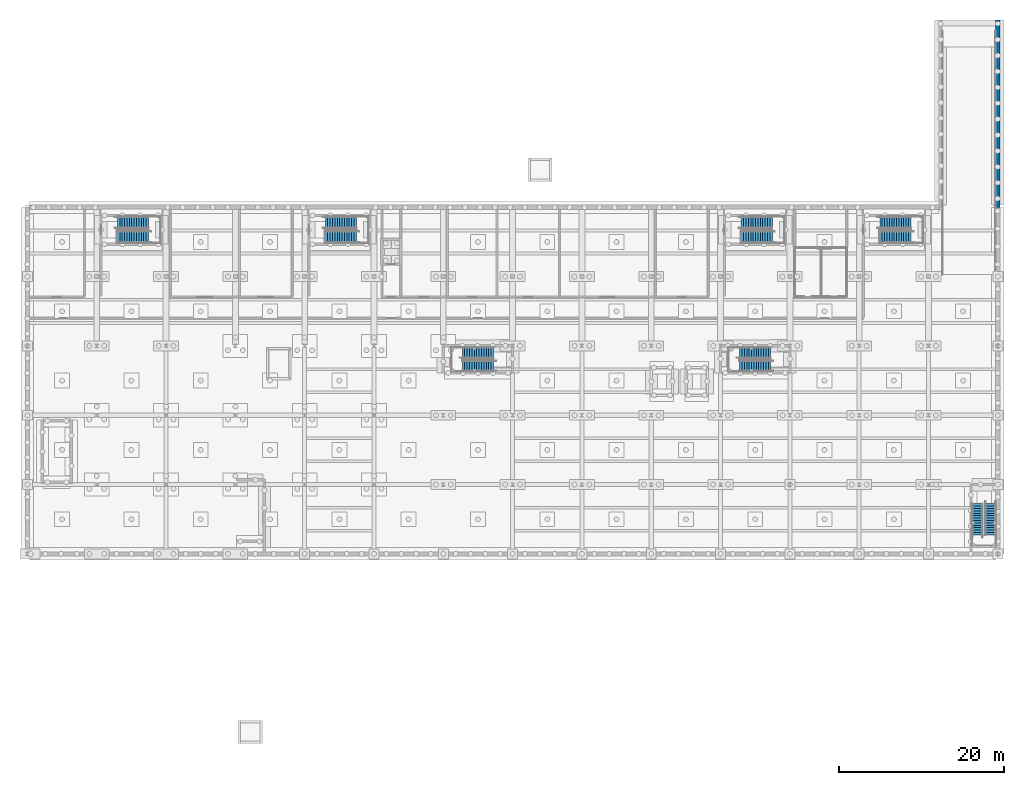
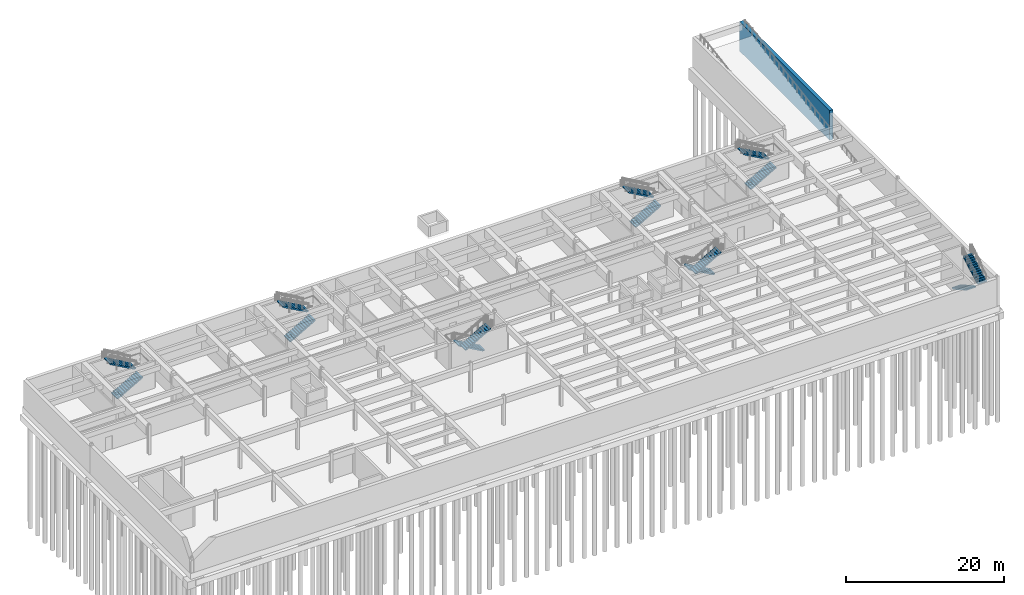
# One storey, part 27 of 33: 14 stair flights, 1 wall, 7 elements without a shape of their own.
"""IFC4 building model written with IfcOpenShell, lengths in metres."""

from ifc_helpers import new_model, si_unit, direction, frame, frame_2d, origin, place, context, subcontext, project, spatial, polyline, rectangle, outline, extrude, material, layer, layer_set, type_object, element, aggregate, save


model = new_model("IFC4")

# Units and contexts
model_context = context("Model", 3, precision=1e-05, world=origin(), true_north=direction((0.0, 1.0)))
body_context = subcontext(model_context, "Body", "Model", "MODEL_VIEW")
ifc_project = project(units=[si_unit("LENGTHUNIT", "METRE"), si_unit("AREAUNIT", "SQUARE_METRE"), si_unit("VOLUMEUNIT", "CUBIC_METRE"), si_unit("PLANEANGLEUNIT", "RADIAN"), si_unit("MASSUNIT", "GRAM", prefix="KILO")], contexts=[model_context])

# Site, building, storey
site_placement = place(None, origin())
site = spatial("IfcSite", under=ifc_project, at=site_placement, CompositionType="ELEMENT")
building_placement = place(site_placement, origin())
building = spatial("IfcBuilding", under=site, at=building_placement, Name="Ljudholm Concert House", CompositionType="ELEMENT")
storey_placement = place(building_placement, frame((0.0, 0.0, -4.60009765625)))
storey = spatial("IfcBuildingStorey", under=building, at=storey_placement, Name="B1", CompositionType="ELEMENT", Elevation=-4.60009765625)

# Wall
ifc_material_1 = material(Name="Concrete 6,500 psi", Category="concrete")
ifc_layer = layer(ifc_material_1, 0.5)
ifc_layer_set = layer_set([ifc_layer], Name="Concrete 6,500 psi")
wall_type = type_object("IfcWallType", Name="RC WALL 500", PredefinedType="SOLIDWALL", material=ifc_layer_set)
wall_placement = place(storey_placement, frame((121.60009765625, 146.800048828125, 0.0), z_axis=(0.0, 0.0, 1.0), x_axis=(0.0, 1.0, 0.0)))
element("IfcWall", 1, at=wall_placement, inside=storey, type_object=wall_type, Name="Ramp retaining wall", PredefinedType="SOLIDWALL", context=body_context, shape_type="SweptSolid", body=[
    extrude(rectangle(XDim=22.699951171875, YDim=0.5, at=frame_2d((11.35009765625, 0.0))), origin(), (0.0, 0.0, 1.0), 4.60009765625),
])

# Stair, stair flights
ifc_material_2 = material(Name="Concrete 5,000 psi", Category="concrete")
stair_type_1 = type_object("IfcStairType", Name="RC STAIR 1350x164x290", PredefinedType="HALF_TURN_STAIR", material=ifc_material_2)
stair_1_placement = place(storey_placement, origin())
stair_1 = element("IfcStair", 2, at=stair_1_placement, inside=storey, type_object=stair_type_1, Name="Basement stair", PredefinedType="HALF_TURN_STAIR")
ifc_material_3 = material(Name="Concrete 5,000 psi", Category="concrete")
stair_flight_type_1 = type_object("IfcStairFlightType", Name="RC STAIR FLIGHT 1350x164x290", PredefinedType="STRAIGHT", material=ifc_material_3)
stair_flight_1_placement = place(storey_placement, frame((60.47509765625, 129.175048828125, 0.0), z_axis=(0.0, 0.0, 1.0), x_axis=(-1.0, 0.0, 0.0)))
stair_flight_1 = element("IfcStairFlight", 3, at=stair_flight_1_placement, type_object=stair_flight_type_1, Name="ST-XB1-005 flight 1", NumberOfRisers=14, NumberOfTreads=13, PredefinedType="STRAIGHT", RiserHeight=0.164285714, TreadLength=0.29, context=body_context, shape_type="SweptSolid", body=[
    extrude(outline(polyline([(0.0, 0.0), (0.0, 0.164306640625), (0.2900390625, 0.164306640625), (0.2900390625, 0.32861328125), (0.580078125, 0.32861328125), (0.580078125, 0.492919921875), (0.8701171875, 0.492919921875), (0.8701171875, 0.6572265625), (1.159912109375, 0.6572265625), (1.159912109375, 0.821533203125), (1.449951171875, 0.821533203125), (1.449951171875, 0.985595703125), (1.739990234375, 0.985595703125), (1.739990234375, 1.14990234375), (2.030029296875, 1.14990234375), (2.030029296875, 1.314208984375), (2.320068359375, 1.314208984375), (2.320068359375, 1.478515625), (2.610107421875, 1.478515625), (2.610107421875, 1.642822265625), (2.89990234375, 1.642822265625), (2.89990234375, 1.80712890625), (3.18994140625, 1.80712890625), (3.18994140625, 1.971435546875), (3.47998046875, 1.971435546875), (3.47998046875, 2.1357421875), (3.77001953125, 2.1357421875), (3.77001953125, 2.300048828125), (3.77001953125, 1.96337890625), (0.30419921875, 0.0), (0.0, 0.0)])), frame((0.0, 0.675048828125, 0.0), z_axis=(0.0, -1.0, 0.0), x_axis=(1.0, 0.0, 0.0)), (0.0, 0.0, 1.0), 1.35009765625),
])
stair_flight_2_placement = place(storey_placement, frame((56.705078125, 127.574951171875, 2.300048828125), z_axis=(0.0, 0.0, 1.0), x_axis=(1.0, 0.0, 0.0)))
stair_flight_2 = element("IfcStairFlight", 4, at=stair_flight_2_placement, type_object=stair_flight_type_1, Name="ST-XB1-005 flight 2", NumberOfRisers=14, NumberOfTreads=13, PredefinedType="STRAIGHT", RiserHeight=0.164285714, TreadLength=0.29, context=body_context, shape_type="SweptSolid", body=[
    extrude(outline(polyline([(0.0, 0.0), (0.0, 0.164306640625), (0.2900390625, 0.164306640625), (0.2900390625, 0.32861328125), (0.580078125, 0.32861328125), (0.580078125, 0.492919921875), (0.8701171875, 0.492919921875), (0.8701171875, 0.6572265625), (1.159912109375, 0.6572265625), (1.159912109375, 0.821533203125), (1.449951171875, 0.821533203125), (1.449951171875, 0.985595703125), (1.739990234375, 0.985595703125), (1.739990234375, 1.14990234375), (2.030029296875, 1.14990234375), (2.030029296875, 1.314208984375), (2.320068359375, 1.314208984375), (2.320068359375, 1.478515625), (2.610107421875, 1.478515625), (2.610107421875, 1.642822265625), (2.89990234375, 1.642822265625), (2.89990234375, 1.80712890625), (3.18994140625, 1.80712890625), (3.18994140625, 1.971435546875), (3.47998046875, 1.971435546875), (3.47998046875, 2.1357421875), (3.77001953125, 2.1357421875), (3.77001953125, 2.300048828125), (3.77001953125, 1.96337890625), (0.30419921875, 0.0), (0.0, 0.0)])), frame((0.0, 0.675048828125, 0.0), z_axis=(0.0, -1.0, 0.0), x_axis=(1.0, 0.0, 0.0)), (0.0, 0.0, 1.0), 1.35009765625),
])
aggregate(stair_1, [stair_flight_1, stair_flight_2])

stair_2_placement = place(storey_placement, origin())
stair_2 = element("IfcStair", 5, at=stair_2_placement, inside=storey, type_object=stair_type_1, Name="Basement stair", PredefinedType="HALF_TURN_STAIR")
stair_flight_3_placement = place(storey_placement, frame((94.074951171875, 129.175048828125, 0.0), z_axis=(0.0, 0.0, 1.0), x_axis=(-1.0, 0.0, 0.0)))
stair_flight_3 = element("IfcStairFlight", 6, at=stair_flight_3_placement, type_object=stair_flight_type_1, Name="ST-XB1-006 flight 1", NumberOfRisers=14, NumberOfTreads=13, PredefinedType="STRAIGHT", RiserHeight=0.164285714, TreadLength=0.29, context=body_context, shape_type="SweptSolid", body=[
    extrude(outline(polyline([(0.0, 0.0), (0.0, 0.164306640625), (0.2900390625, 0.164306640625), (0.2900390625, 0.32861328125), (0.580078125, 0.32861328125), (0.580078125, 0.492919921875), (0.8701171875, 0.492919921875), (0.8701171875, 0.6572265625), (1.159912109375, 0.6572265625), (1.159912109375, 0.821533203125), (1.449951171875, 0.821533203125), (1.449951171875, 0.985595703125), (1.739990234375, 0.985595703125), (1.739990234375, 1.14990234375), (2.030029296875, 1.14990234375), (2.030029296875, 1.314208984375), (2.320068359375, 1.314208984375), (2.320068359375, 1.478515625), (2.610107421875, 1.478515625), (2.610107421875, 1.642822265625), (2.89990234375, 1.642822265625), (2.89990234375, 1.80712890625), (3.18994140625, 1.80712890625), (3.18994140625, 1.971435546875), (3.47998046875, 1.971435546875), (3.47998046875, 2.1357421875), (3.77001953125, 2.1357421875), (3.77001953125, 2.300048828125), (3.77001953125, 1.96337890625), (0.30419921875, 0.0), (0.0, 0.0)])), frame((0.0, 0.675048828125, 0.0), z_axis=(0.0, -1.0, 0.0), x_axis=(1.0, 0.0, 0.0)), (0.0, 0.0, 1.0), 1.35009765625),
])
stair_flight_4_placement = place(storey_placement, frame((90.304931640625, 127.574951171875, 2.300048828125), z_axis=(0.0, 0.0, 1.0), x_axis=(1.0, 0.0, 0.0)))
stair_flight_4 = element("IfcStairFlight", 7, at=stair_flight_4_placement, type_object=stair_flight_type_1, Name="ST-XB1-006 flight 2", NumberOfRisers=14, NumberOfTreads=13, PredefinedType="STRAIGHT", RiserHeight=0.164285714, TreadLength=0.29, context=body_context, shape_type="SweptSolid", body=[
    extrude(outline(polyline([(0.0, 0.0), (0.0, 0.164306640625), (0.2900390625, 0.164306640625), (0.2900390625, 0.32861328125), (0.580078125, 0.32861328125), (0.580078125, 0.492919921875), (0.8701171875, 0.492919921875), (0.8701171875, 0.6572265625), (1.159912109375, 0.6572265625), (1.159912109375, 0.821533203125), (1.449951171875, 0.821533203125), (1.449951171875, 0.985595703125), (1.739990234375, 0.985595703125), (1.739990234375, 1.14990234375), (2.030029296875, 1.14990234375), (2.030029296875, 1.314208984375), (2.320068359375, 1.314208984375), (2.320068359375, 1.478515625), (2.610107421875, 1.478515625), (2.610107421875, 1.642822265625), (2.89990234375, 1.642822265625), (2.89990234375, 1.80712890625), (3.18994140625, 1.80712890625), (3.18994140625, 1.971435546875), (3.47998046875, 1.971435546875), (3.47998046875, 2.1357421875), (3.77001953125, 2.1357421875), (3.77001953125, 2.300048828125), (3.77001953125, 1.96337890625), (0.30419921875, 0.0), (0.0, 0.0)])), frame((0.0, 0.675048828125, 0.0), z_axis=(0.0, -1.0, 0.0), x_axis=(1.0, 0.0, 0.0)), (0.0, 0.0, 1.0), 1.35009765625),
])
aggregate(stair_2, [stair_flight_3, stair_flight_4])

stair_3_placement = place(storey_placement, origin())
stair_3 = element("IfcStair", 8, at=stair_3_placement, inside=storey, type_object=stair_type_1, Name="Basement stair", PredefinedType="HALF_TURN_STAIR")
stair_flight_5_placement = place(storey_placement, frame((119.125, 110.875, 0.0), z_axis=(0.0, 0.0, 1.0), x_axis=(0.0, -1.0, 0.0)))
stair_flight_5 = element("IfcStairFlight", 9, at=stair_flight_5_placement, type_object=stair_flight_type_1, Name="ST-XB1-007 flight 1", NumberOfRisers=14, NumberOfTreads=13, PredefinedType="STRAIGHT", RiserHeight=0.164285714, TreadLength=0.29, context=body_context, shape_type="SweptSolid", body=[
    extrude(outline(polyline([(0.0, 0.0), (0.0, 0.164306640625), (0.2900390625, 0.164306640625), (0.2900390625, 0.32861328125), (0.580078125, 0.32861328125), (0.580078125, 0.492919921875), (0.8701171875, 0.492919921875), (0.8701171875, 0.6572265625), (1.159912109375, 0.6572265625), (1.159912109375, 0.821533203125), (1.449951171875, 0.821533203125), (1.449951171875, 0.985595703125), (1.739990234375, 0.985595703125), (1.739990234375, 1.14990234375), (2.030029296875, 1.14990234375), (2.030029296875, 1.314208984375), (2.320068359375, 1.314208984375), (2.320068359375, 1.478515625), (2.610107421875, 1.478515625), (2.610107421875, 1.642822265625), (2.89990234375, 1.642822265625), (2.89990234375, 1.80712890625), (3.18994140625, 1.80712890625), (3.18994140625, 1.971435546875), (3.47998046875, 1.971435546875), (3.47998046875, 2.1357421875), (3.77001953125, 2.1357421875), (3.77001953125, 2.300048828125), (3.77001953125, 1.96337890625), (0.30419921875, 0.0), (0.0, 0.0)])), frame((0.0, 0.675048828125, 0.0), z_axis=(0.0, -1.0, 0.0), x_axis=(1.0, 0.0, 0.0)), (0.0, 0.0, 1.0), 1.35009765625),
])
stair_flight_6_placement = place(storey_placement, frame((120.72509765625, 107.10498046875, 2.300048828125), z_axis=(0.0, 0.0, 1.0), x_axis=(0.0, 1.0, 0.0)))
stair_flight_6 = element("IfcStairFlight", 10, at=stair_flight_6_placement, type_object=stair_flight_type_1, Name="ST-XB1-007 flight 2", NumberOfRisers=14, NumberOfTreads=13, PredefinedType="STRAIGHT", RiserHeight=0.164285714, TreadLength=0.29, context=body_context, shape_type="SweptSolid", body=[
    extrude(outline(polyline([(0.0, 0.0), (0.0, 0.164306640625), (0.2900390625, 0.164306640625), (0.2900390625, 0.32861328125), (0.580078125, 0.32861328125), (0.580078125, 0.492919921875), (0.8701171875, 0.492919921875), (0.8701171875, 0.6572265625), (1.159912109375, 0.6572265625), (1.159912109375, 0.821533203125), (1.449951171875, 0.821533203125), (1.449951171875, 0.985595703125), (1.739990234375, 0.985595703125), (1.739990234375, 1.14990234375), (2.030029296875, 1.14990234375), (2.030029296875, 1.314208984375), (2.320068359375, 1.314208984375), (2.320068359375, 1.478515625), (2.610107421875, 1.478515625), (2.610107421875, 1.642822265625), (2.89990234375, 1.642822265625), (2.89990234375, 1.80712890625), (3.18994140625, 1.80712890625), (3.18994140625, 1.971435546875), (3.47998046875, 1.971435546875), (3.47998046875, 2.1357421875), (3.77001953125, 2.1357421875), (3.77001953125, 2.300048828125), (3.77001953125, 1.96337890625), (0.30419921875, 0.0), (0.0, 0.0)])), frame((0.0, 0.675048828125, 0.0), z_axis=(0.0, -1.0, 0.0), x_axis=(1.0, 0.0, 0.0)), (0.0, 0.0, 1.0), 1.35009765625),
])
aggregate(stair_3, [stair_flight_5, stair_flight_6])

ifc_material_4 = material(Name="Concrete 5,000 psi", Category="concrete")
stair_type_2 = type_object("IfcStairType", Name="RC STAIR 1500x164x290", PredefinedType="HALF_TURN_STAIR", material=ifc_material_4)
stair_4_placement = place(storey_placement, origin())
stair_4 = element("IfcStair", 11, at=stair_4_placement, inside=storey, type_object=stair_type_2, Name="Basement exit stair", PredefinedType="HALF_TURN_STAIR")
ifc_material_5 = material(Name="Concrete 5,000 psi", Category="concrete")
stair_flight_type_2 = type_object("IfcStairFlightType", Name="RC STAIR FLIGHT 1500x164x290", PredefinedType="STRAIGHT", material=ifc_material_5)
stair_flight_7_placement = place(storey_placement, frame((14.89990234375, 143.199951171875, 0.0), z_axis=(0.0, 0.0, 1.0), x_axis=(1.0, 0.0, 0.0)))
stair_flight_7 = element("IfcStairFlight", 12, at=stair_flight_7_placement, type_object=stair_flight_type_2, Name="ST-XB1-001 flight 1", NumberOfRisers=14, NumberOfTreads=13, PredefinedType="STRAIGHT", RiserHeight=0.164285714, TreadLength=0.29, context=body_context, shape_type="SweptSolid", body=[
    extrude(outline(polyline([(0.0, 0.0), (0.0, 0.164306640625), (0.2900390625, 0.164306640625), (0.2900390625, 0.32861328125), (0.580078125, 0.32861328125), (0.580078125, 0.492919921875), (0.8701171875, 0.492919921875), (0.8701171875, 0.6572265625), (1.159912109375, 0.6572265625), (1.159912109375, 0.821533203125), (1.449951171875, 0.821533203125), (1.449951171875, 0.985595703125), (1.739990234375, 0.985595703125), (1.739990234375, 1.14990234375), (2.030029296875, 1.14990234375), (2.030029296875, 1.314208984375), (2.320068359375, 1.314208984375), (2.320068359375, 1.478515625), (2.610107421875, 1.478515625), (2.610107421875, 1.642822265625), (2.89990234375, 1.642822265625), (2.89990234375, 1.80712890625), (3.18994140625, 1.80712890625), (3.18994140625, 1.971435546875), (3.47998046875, 1.971435546875), (3.47998046875, 2.1357421875), (3.77001953125, 2.1357421875), (3.77001953125, 2.300048828125), (3.77001953125, 1.96337890625), (0.30419921875, 0.0), (0.0, 0.0)])), frame((0.0, 0.75, 0.0), z_axis=(0.0, -1.0, 0.0), x_axis=(1.0, 0.0, 0.0)), (0.0, 0.0, 1.0), 1.5),
])
stair_flight_8_placement = place(storey_placement, frame((18.669921875, 144.949951171875, 2.300048828125), z_axis=(0.0, 0.0, 1.0), x_axis=(-1.0, 0.0, 0.0)))
stair_flight_8 = element("IfcStairFlight", 13, at=stair_flight_8_placement, type_object=stair_flight_type_2, Name="ST-XB1-001 flight 2", NumberOfRisers=14, NumberOfTreads=13, PredefinedType="STRAIGHT", RiserHeight=0.164285714, TreadLength=0.29, context=body_context, shape_type="SweptSolid", body=[
    extrude(outline(polyline([(0.0, 0.0), (0.0, 0.164306640625), (0.2900390625, 0.164306640625), (0.2900390625, 0.32861328125), (0.580078125, 0.32861328125), (0.580078125, 0.492919921875), (0.8701171875, 0.492919921875), (0.8701171875, 0.6572265625), (1.159912109375, 0.6572265625), (1.159912109375, 0.821533203125), (1.449951171875, 0.821533203125), (1.449951171875, 0.985595703125), (1.739990234375, 0.985595703125), (1.739990234375, 1.14990234375), (2.030029296875, 1.14990234375), (2.030029296875, 1.314208984375), (2.320068359375, 1.314208984375), (2.320068359375, 1.478515625), (2.610107421875, 1.478515625), (2.610107421875, 1.642822265625), (2.89990234375, 1.642822265625), (2.89990234375, 1.80712890625), (3.18994140625, 1.80712890625), (3.18994140625, 1.971435546875), (3.47998046875, 1.971435546875), (3.47998046875, 2.1357421875), (3.77001953125, 2.1357421875), (3.77001953125, 2.300048828125), (3.77001953125, 1.96337890625), (0.30419921875, 0.0), (0.0, 0.0)])), frame((0.0, 0.75, 0.0), z_axis=(0.0, -1.0, 0.0), x_axis=(1.0, 0.0, 0.0)), (0.0, 0.0, 1.0), 1.5),
])
aggregate(stair_4, [stair_flight_7, stair_flight_8])

stair_5_placement = place(storey_placement, origin())
stair_5 = element("IfcStair", 14, at=stair_5_placement, inside=storey, type_object=stair_type_2, Name="Basement exit stair", PredefinedType="HALF_TURN_STAIR")
stair_flight_9_placement = place(storey_placement, frame((40.10009765625, 143.199951171875, 0.0), z_axis=(0.0, 0.0, 1.0), x_axis=(1.0, 0.0, 0.0)))
stair_flight_9 = element("IfcStairFlight", 15, at=stair_flight_9_placement, type_object=stair_flight_type_2, Name="ST-XB1-002 flight 1", NumberOfRisers=14, NumberOfTreads=13, PredefinedType="STRAIGHT", RiserHeight=0.164285714, TreadLength=0.29, context=body_context, shape_type="SweptSolid", body=[
    extrude(outline(polyline([(0.0, 0.0), (0.0, 0.164306640625), (0.2900390625, 0.164306640625), (0.2900390625, 0.32861328125), (0.580078125, 0.32861328125), (0.580078125, 0.492919921875), (0.8701171875, 0.492919921875), (0.8701171875, 0.6572265625), (1.159912109375, 0.6572265625), (1.159912109375, 0.821533203125), (1.449951171875, 0.821533203125), (1.449951171875, 0.985595703125), (1.739990234375, 0.985595703125), (1.739990234375, 1.14990234375), (2.030029296875, 1.14990234375), (2.030029296875, 1.314208984375), (2.320068359375, 1.314208984375), (2.320068359375, 1.478515625), (2.610107421875, 1.478515625), (2.610107421875, 1.642822265625), (2.89990234375, 1.642822265625), (2.89990234375, 1.80712890625), (3.18994140625, 1.80712890625), (3.18994140625, 1.971435546875), (3.47998046875, 1.971435546875), (3.47998046875, 2.1357421875), (3.77001953125, 2.1357421875), (3.77001953125, 2.300048828125), (3.77001953125, 1.96337890625), (0.30419921875, 0.0), (0.0, 0.0)])), frame((0.0, 0.75, 0.0), z_axis=(0.0, -1.0, 0.0), x_axis=(1.0, 0.0, 0.0)), (0.0, 0.0, 1.0), 1.5),
])
stair_flight_10_placement = place(storey_placement, frame((43.8701171875, 144.949951171875, 2.300048828125), z_axis=(0.0, 0.0, 1.0), x_axis=(-1.0, 0.0, 0.0)))
stair_flight_10 = element("IfcStairFlight", 16, at=stair_flight_10_placement, type_object=stair_flight_type_2, Name="ST-XB1-002 flight 2", NumberOfRisers=14, NumberOfTreads=13, PredefinedType="STRAIGHT", RiserHeight=0.164285714, TreadLength=0.29, context=body_context, shape_type="SweptSolid", body=[
    extrude(outline(polyline([(0.0, 0.0), (0.0, 0.164306640625), (0.2900390625, 0.164306640625), (0.2900390625, 0.32861328125), (0.580078125, 0.32861328125), (0.580078125, 0.492919921875), (0.8701171875, 0.492919921875), (0.8701171875, 0.6572265625), (1.159912109375, 0.6572265625), (1.159912109375, 0.821533203125), (1.449951171875, 0.821533203125), (1.449951171875, 0.985595703125), (1.739990234375, 0.985595703125), (1.739990234375, 1.14990234375), (2.030029296875, 1.14990234375), (2.030029296875, 1.314208984375), (2.320068359375, 1.314208984375), (2.320068359375, 1.478515625), (2.610107421875, 1.478515625), (2.610107421875, 1.642822265625), (2.89990234375, 1.642822265625), (2.89990234375, 1.80712890625), (3.18994140625, 1.80712890625), (3.18994140625, 1.971435546875), (3.47998046875, 1.971435546875), (3.47998046875, 2.1357421875), (3.77001953125, 2.1357421875), (3.77001953125, 2.300048828125), (3.77001953125, 1.96337890625), (0.30419921875, 0.0), (0.0, 0.0)])), frame((0.0, 0.75, 0.0), z_axis=(0.0, -1.0, 0.0), x_axis=(1.0, 0.0, 0.0)), (0.0, 0.0, 1.0), 1.5),
])
aggregate(stair_5, [stair_flight_9, stair_flight_10])

stair_6_placement = place(storey_placement, origin())
stair_6 = element("IfcStair", 17, at=stair_6_placement, inside=storey, type_object=stair_type_2, Name="Basement exit stair", PredefinedType="HALF_TURN_STAIR")
stair_flight_11_placement = place(storey_placement, frame((90.5, 143.199951171875, 0.0), z_axis=(0.0, 0.0, 1.0), x_axis=(1.0, 0.0, 0.0)))
stair_flight_11 = element("IfcStairFlight", 18, at=stair_flight_11_placement, type_object=stair_flight_type_2, Name="ST-XB1-003 flight 1", NumberOfRisers=14, NumberOfTreads=13, PredefinedType="STRAIGHT", RiserHeight=0.164285714, TreadLength=0.29, context=body_context, shape_type="SweptSolid", body=[
    extrude(outline(polyline([(0.0, 0.0), (0.0, 0.164306640625), (0.2900390625, 0.164306640625), (0.2900390625, 0.32861328125), (0.580078125, 0.32861328125), (0.580078125, 0.492919921875), (0.8701171875, 0.492919921875), (0.8701171875, 0.6572265625), (1.159912109375, 0.6572265625), (1.159912109375, 0.821533203125), (1.449951171875, 0.821533203125), (1.449951171875, 0.985595703125), (1.739990234375, 0.985595703125), (1.739990234375, 1.14990234375), (2.030029296875, 1.14990234375), (2.030029296875, 1.314208984375), (2.320068359375, 1.314208984375), (2.320068359375, 1.478515625), (2.610107421875, 1.478515625), (2.610107421875, 1.642822265625), (2.89990234375, 1.642822265625), (2.89990234375, 1.80712890625), (3.18994140625, 1.80712890625), (3.18994140625, 1.971435546875), (3.47998046875, 1.971435546875), (3.47998046875, 2.1357421875), (3.77001953125, 2.1357421875), (3.77001953125, 2.300048828125), (3.77001953125, 1.96337890625), (0.30419921875, 0.0), (0.0, 0.0)])), frame((0.0, 0.75, 0.0), z_axis=(0.0, -1.0, 0.0), x_axis=(1.0, 0.0, 0.0)), (0.0, 0.0, 1.0), 1.5),
])
stair_flight_12_placement = place(storey_placement, frame((94.27001953125, 144.949951171875, 2.300048828125), z_axis=(0.0, 0.0, 1.0), x_axis=(-1.0, 0.0, 0.0)))
stair_flight_12 = element("IfcStairFlight", 19, at=stair_flight_12_placement, type_object=stair_flight_type_2, Name="ST-XB1-003 flight 2", NumberOfRisers=14, NumberOfTreads=13, PredefinedType="STRAIGHT", RiserHeight=0.164285714, TreadLength=0.29, context=body_context, shape_type="SweptSolid", body=[
    extrude(outline(polyline([(0.0, 0.0), (0.0, 0.164306640625), (0.2900390625, 0.164306640625), (0.2900390625, 0.32861328125), (0.580078125, 0.32861328125), (0.580078125, 0.492919921875), (0.8701171875, 0.492919921875), (0.8701171875, 0.6572265625), (1.159912109375, 0.6572265625), (1.159912109375, 0.821533203125), (1.449951171875, 0.821533203125), (1.449951171875, 0.985595703125), (1.739990234375, 0.985595703125), (1.739990234375, 1.14990234375), (2.030029296875, 1.14990234375), (2.030029296875, 1.314208984375), (2.320068359375, 1.314208984375), (2.320068359375, 1.478515625), (2.610107421875, 1.478515625), (2.610107421875, 1.642822265625), (2.89990234375, 1.642822265625), (2.89990234375, 1.80712890625), (3.18994140625, 1.80712890625), (3.18994140625, 1.971435546875), (3.47998046875, 1.971435546875), (3.47998046875, 2.1357421875), (3.77001953125, 2.1357421875), (3.77001953125, 2.300048828125), (3.77001953125, 1.96337890625), (0.30419921875, 0.0), (0.0, 0.0)])), frame((0.0, 0.75, 0.0), z_axis=(0.0, -1.0, 0.0), x_axis=(1.0, 0.0, 0.0)), (0.0, 0.0, 1.0), 1.5),
])
aggregate(stair_6, [stair_flight_11, stair_flight_12])

stair_7_placement = place(storey_placement, origin())
stair_7 = element("IfcStair", 20, at=stair_7_placement, inside=storey, type_object=stair_type_2, Name="Basement exit stair", PredefinedType="HALF_TURN_STAIR")
stair_flight_13_placement = place(storey_placement, frame((107.300048828125, 143.199951171875, 0.0), z_axis=(0.0, 0.0, 1.0), x_axis=(1.0, 0.0, 0.0)))
stair_flight_13 = element("IfcStairFlight", 21, at=stair_flight_13_placement, type_object=stair_flight_type_2, Name="ST-XB1-004 flight 1", NumberOfRisers=14, NumberOfTreads=13, PredefinedType="STRAIGHT", RiserHeight=0.164285714, TreadLength=0.29, context=body_context, shape_type="SweptSolid", body=[
    extrude(outline(polyline([(0.0, 0.0), (0.0, 0.164306640625), (0.2900390625, 0.164306640625), (0.2900390625, 0.32861328125), (0.580078125, 0.32861328125), (0.580078125, 0.492919921875), (0.8701171875, 0.492919921875), (0.8701171875, 0.6572265625), (1.159912109375, 0.6572265625), (1.159912109375, 0.821533203125), (1.449951171875, 0.821533203125), (1.449951171875, 0.985595703125), (1.739990234375, 0.985595703125), (1.739990234375, 1.14990234375), (2.030029296875, 1.14990234375), (2.030029296875, 1.314208984375), (2.320068359375, 1.314208984375), (2.320068359375, 1.478515625), (2.610107421875, 1.478515625), (2.610107421875, 1.642822265625), (2.89990234375, 1.642822265625), (2.89990234375, 1.80712890625), (3.18994140625, 1.80712890625), (3.18994140625, 1.971435546875), (3.47998046875, 1.971435546875), (3.47998046875, 2.1357421875), (3.77001953125, 2.1357421875), (3.77001953125, 2.300048828125), (3.77001953125, 1.96337890625), (0.30419921875, 0.0), (0.0, 0.0)])), frame((0.0, 0.75, 0.0), z_axis=(0.0, -1.0, 0.0), x_axis=(1.0, 0.0, 0.0)), (0.0, 0.0, 1.0), 1.5),
])
stair_flight_14_placement = place(storey_placement, frame((111.070068359375, 144.949951171875, 2.300048828125), z_axis=(0.0, 0.0, 1.0), x_axis=(-1.0, 0.0, 0.0)))
stair_flight_14 = element("IfcStairFlight", 22, at=stair_flight_14_placement, type_object=stair_flight_type_2, Name="ST-XB1-004 flight 2", NumberOfRisers=14, NumberOfTreads=13, PredefinedType="STRAIGHT", RiserHeight=0.164285714, TreadLength=0.29, context=body_context, shape_type="SweptSolid", body=[
    extrude(outline(polyline([(0.0, 0.0), (0.0, 0.164306640625), (0.2900390625, 0.164306640625), (0.2900390625, 0.32861328125), (0.580078125, 0.32861328125), (0.580078125, 0.492919921875), (0.8701171875, 0.492919921875), (0.8701171875, 0.6572265625), (1.159912109375, 0.6572265625), (1.159912109375, 0.821533203125), (1.449951171875, 0.821533203125), (1.449951171875, 0.985595703125), (1.739990234375, 0.985595703125), (1.739990234375, 1.14990234375), (2.030029296875, 1.14990234375), (2.030029296875, 1.314208984375), (2.320068359375, 1.314208984375), (2.320068359375, 1.478515625), (2.610107421875, 1.478515625), (2.610107421875, 1.642822265625), (2.89990234375, 1.642822265625), (2.89990234375, 1.80712890625), (3.18994140625, 1.80712890625), (3.18994140625, 1.971435546875), (3.47998046875, 1.971435546875), (3.47998046875, 2.1357421875), (3.77001953125, 2.1357421875), (3.77001953125, 2.300048828125), (3.77001953125, 1.96337890625), (0.30419921875, 0.0), (0.0, 0.0)])), frame((0.0, 0.75, 0.0), z_axis=(0.0, -1.0, 0.0), x_axis=(1.0, 0.0, 0.0)), (0.0, 0.0, 1.0), 1.5),
])
aggregate(stair_7, [stair_flight_13, stair_flight_14])

save(model, "model.ifc")
